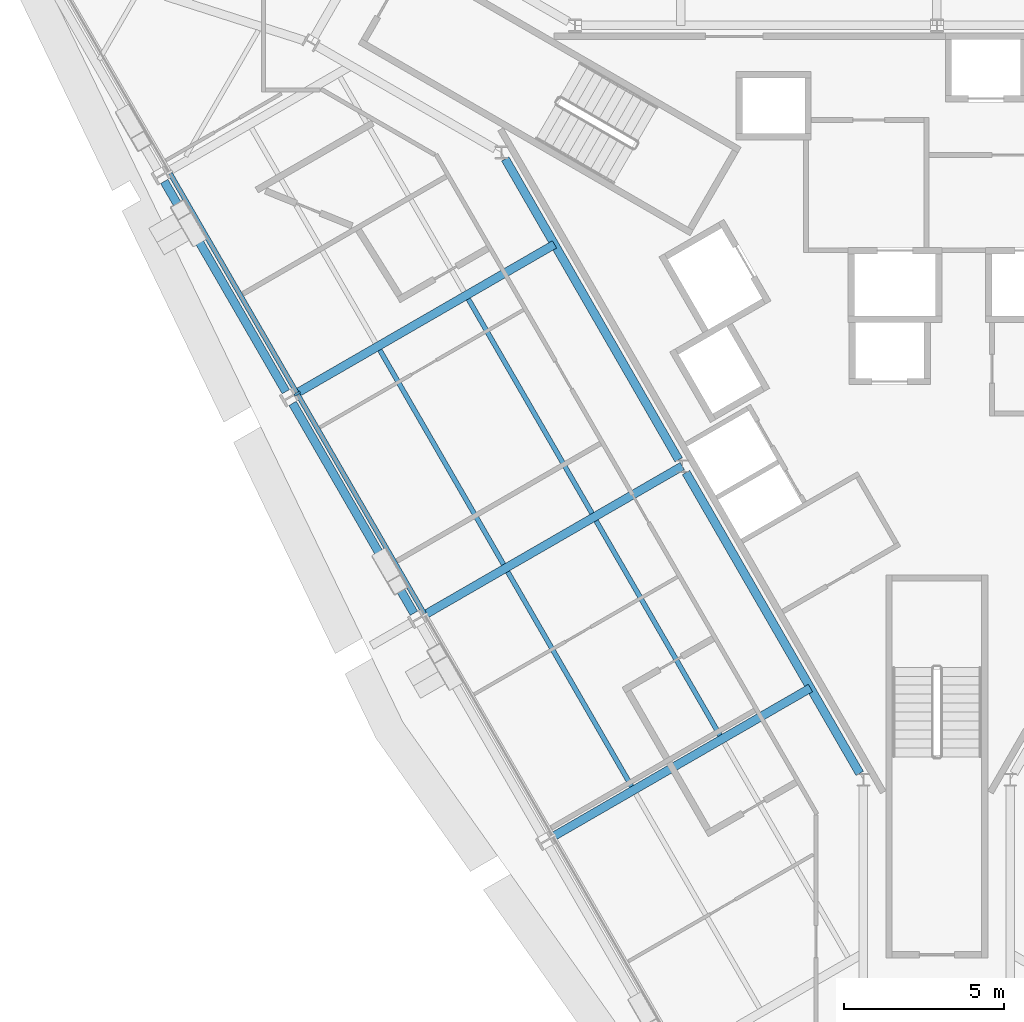
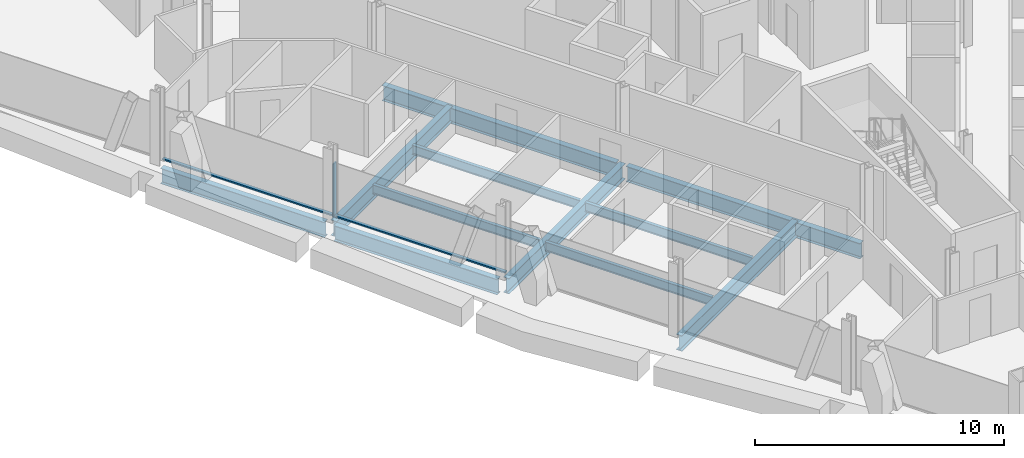
# One storey, part 4 of 16: 11 beams, 3 members, 1 element without a shape of its own.
"""IFC4 building model written with IfcOpenShell, lengths in metres."""

from ifc_helpers import new_model, si_unit, direction, frame, origin, origin_2d, place, context, subcontext, project, spatial, rectangle, i_section, extrude, material, material_profile, profile_set, type_object, element, aggregate, save


model = new_model("IFC4")

# Units and contexts
model_context = context("Model", 3, precision=1e-05, world=origin(), true_north=direction((0.0, 1.0)))
body_context = subcontext(model_context, "Body", "Model", "MODEL_VIEW")
ifc_project = project(units=[si_unit("LENGTHUNIT", "METRE"), si_unit("AREAUNIT", "SQUARE_METRE"), si_unit("VOLUMEUNIT", "CUBIC_METRE"), si_unit("PLANEANGLEUNIT", "RADIAN"), si_unit("MASSUNIT", "GRAM", prefix="KILO")], contexts=[model_context])

# Site, building, storey
site_placement = place(None, origin())
site = spatial("IfcSite", under=ifc_project, at=site_placement, CompositionType="ELEMENT")
building_placement = place(site_placement, origin())
building = spatial("IfcBuilding", under=site, at=building_placement, Name="Verrane Prism Tower", CompositionType="ELEMENT")
storey_placement = place(building_placement, frame((0.0, 0.0, 110.800048828125)))
storey = spatial("IfcBuildingStorey", under=building, at=storey_placement, Name="L26", CompositionType="ELEMENT", Elevation=110.800048828125)

# Beams
ifc_material_1 = material(Name="Steel A992", Category="steel")
ifc_material_profile_1 = material_profile(ifc_material_1, i_section(OverallWidth=0.2666015625, OverallDepth=0.7568359375, WebThickness=0.013916015625, FlangeThickness=0.019287109375, FilletRadius=0.0166015625, at=origin_2d()), Name="W30x108")
ifc_profile_set_1 = profile_set([ifc_material_profile_1], Name="Steel A992")
beam_type_1 = type_object("IfcBeamType", Name="Core ring girder W30x108", PredefinedType="BEAM", material=ifc_profile_set_1)
beam_1_placement = place(storey_placement, frame((-13.51513671875, 5.0205078125, -0.628662109375), z_axis=(0.4993706109, -0.866388476937, 0.0), x_axis=(0.866388476937, 0.4993706109, 0.0)))
element("IfcBeam", 1, at=beam_1_placement, inside=storey, type_object=beam_type_1, Name="Core ring girder L26", PredefinedType="BEAM", context=body_context, shape_type="SweptSolid", body=[
    extrude(i_section(OverallWidth=0.2666015625, OverallDepth=0.7568359375, WebThickness=0.013916015625, FlangeThickness=0.019287109375, FilletRadius=0.0166015625, at=origin_2d()), origin(), (0.0, 0.0, 1.0), 10.8740234375),
])
beam_2_placement = place(storey_placement, frame((-7.85498046875, -4.79931640625, -0.628662109375), z_axis=(0.500034555306, -0.86600545235, 0.0), x_axis=(0.86600545235, 0.500034555306, 0.0)))
element("IfcBeam", 2, at=beam_2_placement, inside=storey, type_object=beam_type_1, Name="Core ring girder L26", PredefinedType="BEAM", context=body_context, shape_type="SweptSolid", body=[
    extrude(i_section(OverallWidth=0.2666015625, OverallDepth=0.7568359375, WebThickness=0.013916015625, FlangeThickness=0.019287109375, FilletRadius=0.0166015625, at=origin_2d()), origin(), (0.0, 0.0, 1.0), 10.879150390625),
])
ifc_material_2 = material(Name="Steel A992", Category="steel")
ifc_material_profile_2 = material_profile(ifc_material_2, i_section(OverallWidth=0.15234375, OverallDepth=0.449462890625, WebThickness=0.007568359375, FlangeThickness=0.0107421875, FilletRadius=0.01025390625, at=origin_2d()), Name="W18x35")
ifc_profile_set_2 = profile_set([ifc_material_profile_2], Name="Steel A992")
beam_type_2 = type_object("IfcBeamType", Name="Floor beam W18x35", PredefinedType="BEAM", material=ifc_profile_set_2)
beam_3_placement = place(storey_placement, frame((-10.7978515625, -6.077880859375, -0.384765625), z_axis=(-0.499984211786, 0.866034518922, 0.0), x_axis=(-0.866034518922, -0.499984211786, 0.0)))
element("IfcBeam", 3, at=beam_3_placement, inside=storey, type_object=beam_type_2, Name="Floor beam L26", PredefinedType="BEAM", context=body_context, shape_type="SweptSolid", body=[
    extrude(i_section(OverallWidth=0.15234375, OverallDepth=0.449462890625, WebThickness=0.007568359375, FlangeThickness=0.0107421875, FilletRadius=0.01025390625, at=origin_2d()), origin(), (0.0, 0.0, 1.0), 7.750732421875),
])
beam_4_placement = place(storey_placement, frame((-13.568603515625, -7.6767578125, -0.384765625), z_axis=(-0.499981532947, 0.86603606548, 0.0), x_axis=(-0.86603606548, -0.499981532947, 0.0)))
element("IfcBeam", 4, at=beam_4_placement, inside=storey, type_object=beam_type_2, Name="Floor beam L26", PredefinedType="BEAM", context=body_context, shape_type="SweptSolid", body=[
    extrude(i_section(OverallWidth=0.15234375, OverallDepth=0.449462890625, WebThickness=0.007568359375, FlangeThickness=0.0107421875, FilletRadius=0.01025390625, at=origin_2d()), origin(), (0.0, 0.0, 1.0), 7.749267578125),
])
for number, where, z_axis, x_axis, name in (
    (5, (-6.7919921875, -13.0302734375, -0.384765625), (-0.500028499731, 0.866008948832, 0.0), (-0.866008948832, -0.500028499731, 0.0), "Floor beam L26"),
    (6, (-9.559326171875, -14.627197265625, -0.384765625), (-0.500028499731, 0.866008948832, 0.0), (-0.866008948832, -0.500028499731, 0.0), "Floor beam L26"),
):
    element("IfcBeam", number, at=place(storey_placement, frame(where, z_axis=z_axis, x_axis=x_axis)), inside=storey, type_object=beam_type_2, Name=name, PredefinedType="BEAM", context=body_context, shape_type="SweptSolid", body=[
        extrude(i_section(OverallWidth=0.15234375, OverallDepth=0.449462890625, WebThickness=0.007568359375, FlangeThickness=0.0107421875, FilletRadius=0.01025390625, at=origin_2d()), origin(), (0.0, 0.0, 1.0), 7.7568359375),
    ])

# Curtain wall, member
ifc_material_3 = material(Name="Aluminium framed insulated glazing", Category="aluminium")
curtain_wall_type = type_object("IfcCurtainWallType", Name="Curtain wall CW-A 8400 module", PredefinedType="NOTDEFINED", material=ifc_material_3)
curtain_wall_placement = place(storey_placement, origin())
curtain_wall = element("IfcCurtainWall", 7, at=curtain_wall_placement, inside=storey, type_object=curtain_wall_type, Name="Glazed curtain wall south-west face L26", PredefinedType="NOTDEFINED")
ifc_material_4 = material(Name="Aluminium alloy 6063-T6", Category="aluminium")
ifc_material_profile_3 = material_profile(ifc_material_4, rectangle(XDim=0.199951171875, YDim=0.070068359375, at=origin_2d()), Name="Mullion 70x200 aluminium")
ifc_profile_set_3 = profile_set([ifc_material_profile_3], Name="Aluminium alloy 6063-T6")
member_type_1 = type_object("IfcMemberType", Name="Mullion 70x200 aluminium", PredefinedType="MULLION", material=ifc_profile_set_3)
member_1_placement = place(storey_placement, frame((-20.030029296875, -2.3291015625, 0.0), z_axis=(0.0, 0.0, 1.0), x_axis=(0.866025402318, 0.500000002539, 0.0)))
member_1 = element("IfcMember", 8, at=member_1_placement, type_object=member_type_1, Name="CW24.4 mullion 3", PredefinedType="MULLION", context=body_context, shape_type="SweptSolid", body=[
    extrude(rectangle(XDim=0.199951171875, YDim=0.070068359375, at=origin_2d()), origin(), (0.0, 0.0, 1.0), 2.61279296875),
])

# Beams
ifc_material_5 = material(Name="Steel A992", Category="steel")
ifc_material_profile_4 = material_profile(ifc_material_5, i_section(OverallWidth=0.2666015625, OverallDepth=0.76708984375, WebThickness=0.014892578125, FlangeThickness=0.023681640625, FilletRadius=0.0166015625, at=origin_2d()), Name="W30x124")
ifc_profile_set_4 = profile_set([ifc_material_profile_4], Name="Steel A992")
beam_type_3 = type_object("IfcBeamType", Name="Radial girder W30x124", PredefinedType="BEAM", material=ifc_profile_set_4)
beam_5_placement = place(storey_placement, frame((-20.07421875, -2.331298828125, -0.603515625), z_axis=(0.866026073768, 0.499998839552, 0.0), x_axis=(-0.499998839552, 0.866026073768, 0.0)))
element("IfcBeam", 9, at=beam_5_placement, inside=storey, type_object=beam_type_3, Name="Radial girder L26", PredefinedType="BEAM", context=body_context, shape_type="SweptSolid", body=[
    extrude(i_section(OverallWidth=0.2666015625, OverallDepth=0.76708984375, WebThickness=0.014892578125, FlangeThickness=0.023681640625, FilletRadius=0.0166015625, at=origin_2d()), origin(), (0.0, 0.0, 1.0), 9.35400390625),
])
beam_6_placement = place(storey_placement, frame((-16.064208984375, -9.271240234375, -0.603515625), z_axis=(0.866015917575, 0.500016430238, 0.0), x_axis=(-0.500016430238, 0.866015917575, 0.0)))
element("IfcBeam", 10, at=beam_6_placement, inside=storey, type_object=beam_type_3, Name="Radial girder L26", PredefinedType="BEAM", context=body_context, shape_type="SweptSolid", body=[
    extrude(i_section(OverallWidth=0.2666015625, OverallDepth=0.76708984375, WebThickness=0.014892578125, FlangeThickness=0.023681640625, FilletRadius=0.0166015625, at=origin_2d()), origin(), (0.0, 0.0, 1.0), 9.345458984375),
])
beam_7_placement = place(storey_placement, frame((-12.05419921875, -16.22119140625, -0.603515625), z_axis=(0.866018138487, 0.500012583653, 0.0), x_axis=(-0.500012583653, 0.866018138487, 0.0)))
element("IfcBeam", 11, at=beam_7_placement, inside=storey, type_object=beam_type_3, Name="Radial girder L26", PredefinedType="BEAM", context=body_context, shape_type="SweptSolid", body=[
    extrude(i_section(OverallWidth=0.2666015625, OverallDepth=0.76708984375, WebThickness=0.014892578125, FlangeThickness=0.023681640625, FilletRadius=0.0166015625, at=origin_2d()), origin(), (0.0, 0.0, 1.0), 9.347900390625),
])
ifc_material_6 = material(Name="Steel A992", Category="steel")
ifc_material_profile_5 = material_profile(ifc_material_6, i_section(OverallWidth=0.2666015625, OverallDepth=0.7568359375, WebThickness=0.013916015625, FlangeThickness=0.019287109375, FilletRadius=0.0166015625, at=origin_2d()), Name="W30x108")
ifc_profile_set_5 = profile_set([ifc_material_profile_5], Name="Steel A992")
beam_type_4 = type_object("IfcBeamType", Name="Spandrel beam W30x108", PredefinedType="SPANDREL", material=ifc_profile_set_5)
beam_8_placement = place(storey_placement, frame((-24.19384765625, 4.31640625, -0.53857421875), z_axis=(0.500695808248, -0.865623305834, 0.0), x_axis=(0.865623305834, 0.500695808248, 0.0)))
element("IfcBeam", 12, at=beam_8_placement, inside=storey, type_object=beam_type_4, Name="Spandrel beam L26", PredefinedType="SPANDREL", context=body_context, shape_type="SweptSolid", body=[
    extrude(i_section(OverallWidth=0.2666015625, OverallDepth=0.7568359375, WebThickness=0.013916015625, FlangeThickness=0.019287109375, FilletRadius=0.0166015625, at=origin_2d()), origin(), (0.0, 0.0, 1.0), 7.604736328125),
])
beam_9_placement = place(storey_placement, frame((-20.173828125, -2.633544921875, -0.53857421875), z_axis=(0.500279205376, -0.865864144464, 0.0), x_axis=(0.865864144464, 0.500279205376, 0.0)))
element("IfcBeam", 13, at=beam_9_placement, inside=storey, type_object=beam_type_4, Name="Spandrel beam L26", PredefinedType="SPANDREL", context=body_context, shape_type="SweptSolid", body=[
    extrude(i_section(OverallWidth=0.2666015625, OverallDepth=0.7568359375, WebThickness=0.013916015625, FlangeThickness=0.019287109375, FilletRadius=0.0166015625, at=origin_2d()), origin(), (0.0, 0.0, 1.0), 7.591064453125),
])

# Member
ifc_material_7 = material(Name="Aluminium alloy 6063-T6", Category="aluminium")
ifc_material_profile_6 = material_profile(ifc_material_7, rectangle(XDim=0.14990234375, YDim=0.070068359375, at=origin_2d()), Name="Transom 70x150 aluminium")
ifc_profile_set_6 = profile_set([ifc_material_profile_6], Name="Aluminium alloy 6063-T6")
member_type_2 = type_object("IfcMemberType", Name="Transom 70x150 aluminium", PredefinedType="USERDEFINED", material=ifc_profile_set_6)
member_2_placement = place(storey_placement, frame((-24.011474609375, 4.567138671875, 0.034912109375), z_axis=(0.50001745439, -0.866015326253, 0.0), x_axis=(0.866015326253, 0.50001745439, 0.0)))
member_2 = element("IfcMember", 14, at=member_2_placement, type_object=member_type_2, Name="CW24.4 transom 2", ObjectType="TRANSOM", PredefinedType="USERDEFINED", context=body_context, shape_type="SweptSolid", body=[
    extrude(rectangle(XDim=0.14990234375, YDim=0.070068359375, at=origin_2d()), origin(), (0.0, 0.0, 1.0), 7.927978515625),
])

member_3_placement = place(storey_placement, frame((-20.012451171875, -2.359375, 0.034912109375), z_axis=(0.50001745439, -0.866015326253, 0.0), x_axis=(0.866015326253, 0.50001745439, 0.0)))
member_3 = element("IfcMember", 15, at=member_3_placement, type_object=member_type_2, Name="CW24.4 transom 3", ObjectType="TRANSOM", PredefinedType="USERDEFINED", context=body_context, shape_type="SweptSolid", body=[
    extrude(rectangle(XDim=0.14990234375, YDim=0.070068359375, at=origin_2d()), origin(), (0.0, 0.0, 1.0), 7.927978515625),
])

aggregate(curtain_wall, [member_1, member_2, member_3])

save(model, "model.ifc")
